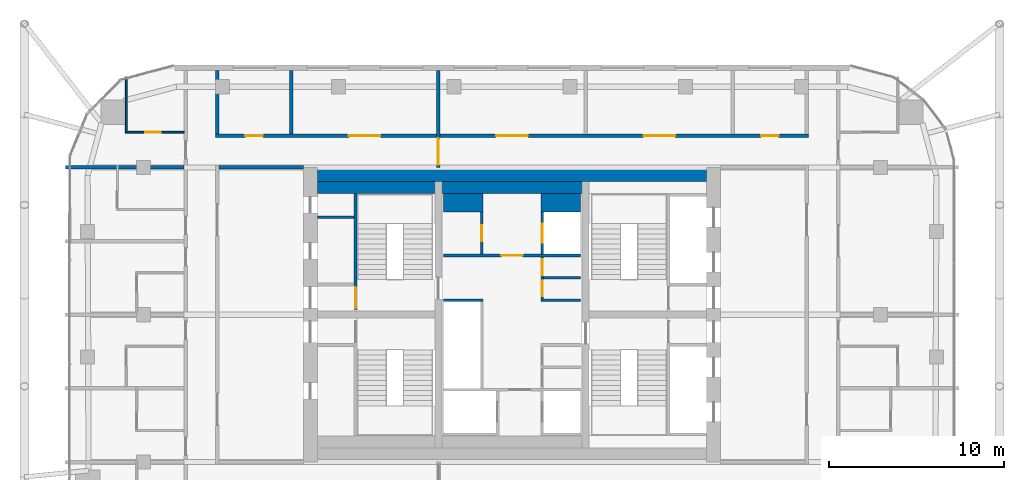
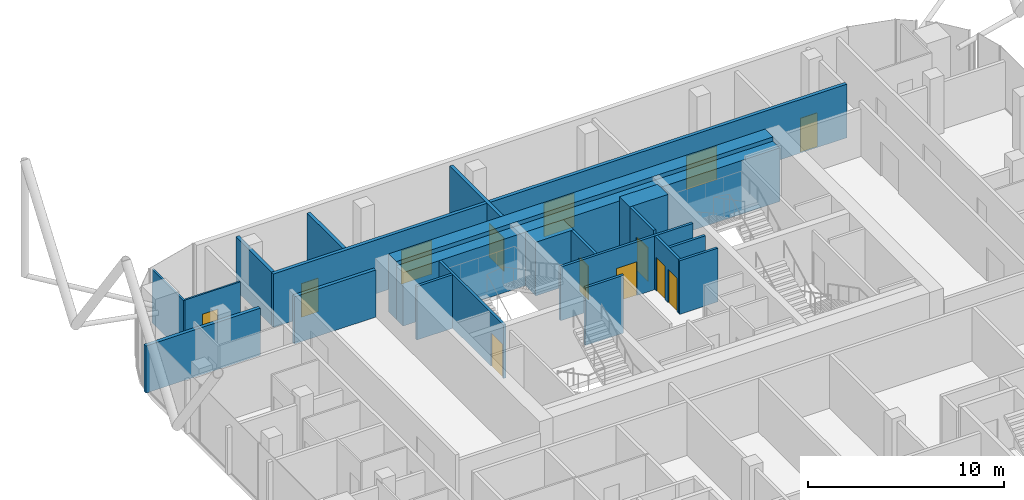
# One storey, part 28 of 31: 21 walls, 13 doors, 13 openings.
"""IFC4 building model written with IfcOpenShell, lengths in metres."""

from ifc_helpers import new_model, si_unit, direction, frame, frame_2d, origin, place, context, subcontext, project, spatial, rectangle, extrude, material, layer, layer_set, type_object, element, fill, save


model = new_model("IFC4")

# Units and contexts
model_context = context("Model", 3, precision=1e-05, world=origin(), true_north=direction((0.0, 1.0)))
body_context = subcontext(model_context, "Body", "Model", "MODEL_VIEW")
ifc_project = project(units=[si_unit("LENGTHUNIT", "METRE"), si_unit("AREAUNIT", "SQUARE_METRE"), si_unit("VOLUMEUNIT", "CUBIC_METRE"), si_unit("PLANEANGLEUNIT", "RADIAN"), si_unit("MASSUNIT", "GRAM", prefix="KILO")], contexts=[model_context])

# Site, building, storey
site_placement = place(None, origin())
site = spatial("IfcSite", under=ifc_project, at=site_placement, CompositionType="ELEMENT")
building_placement = place(site_placement, origin())
building = spatial("IfcBuilding", under=site, at=building_placement, Name="Marenta Gate Hotel Tower", CompositionType="ELEMENT")
storey_placement = place(building_placement, frame((0.0, 0.0, 191.300048828125)))
storey = spatial("IfcBuildingStorey", under=building, at=storey_placement, Name="L43", CompositionType="ELEMENT", Elevation=191.300048828125)

# Wall, opening, door
ifc_material_1 = material(Name="Concrete blockwork", Category="masonry")
ifc_layer_1 = layer(ifc_material_1, 0.199951171875)
ifc_layer_set_1 = layer_set([ifc_layer_1], Name="Concrete blockwork")
wall_type_1 = type_object("IfcWallType", Name="Compartment wall 200 REI 180", PredefinedType="PARTITIONING", material=ifc_layer_set_1)
wall_1_placement = place(storey_placement, frame((-4.199951171875, 16.800048828125, 0.0), z_axis=(0.0, 0.0, 1.0), x_axis=(0.0, 1.0, 0.0)))
wall_1 = element("IfcWall", 1, at=wall_1_placement, inside=storey, type_object=wall_type_1, Name="L43-PTN-W082", PredefinedType="PARTITIONING", context=body_context, shape_type="SweptSolid", body=[
    extrude(rectangle(XDim=5.5400390625, YDim=0.199951171875, at=frame_2d((2.77001953125, 0.0))), origin(), (0.0, 0.0, 1.0), 3.33984375),
])
opening_1_placement = place(wall_1_placement, frame((0.14990234375, 0.0, 0.0)))
opening_1 = element("IfcOpeningElement", 2, at=opening_1_placement, cuts=wall_1, Name="Opening G15-FD1", PredefinedType="OPENING", context=body_context, shape_type="SweptSolid", body=[
    extrude(rectangle(XDim=1.5, YDim=2.10009765625, at=frame_2d((0.75, 1.050048828125))), frame((0.0, 0.10009765625, 0.0), z_axis=(0.0, -1.0, 0.0), x_axis=(1.0, 0.0, 0.0)), (0.0, 0.0, 1.0), 0.199951171875),
])
ifc_material_2 = material(Name="Hollow steel door set", Category="steel")
door_type_1 = type_object("IfcDoorType", Name="Compartment fire door 1500x2100 EI 60", OperationType="DOUBLE_DOOR_DOUBLE_SWING", PredefinedType="DOOR", material=ifc_material_2)
door_1_placement = place(opening_1_placement, origin())
door_1 = element("IfcDoor", 3, at=door_1_placement, inside=storey, type_object=door_type_1, Name="L43-PD-FD01", OperationType="DOUBLE_DOOR_DOUBLE_SWING", OverallHeight=2.10009765625, OverallWidth=1.5, PredefinedType="DOOR", context=body_context, shape_type="SweptSolid", body=[
    extrude(rectangle(XDim=1.5, YDim=2.10009765625, at=frame_2d((0.75, 1.050048828125))), frame((0.0, 0.02490234375, 0.0), z_axis=(0.0, -1.0, 0.0), x_axis=(1.0, 0.0, 0.0)), (0.0, 0.0, 1.0), 0.050048828125),
])
fill(opening_1, door_1)

# Walls
ifc_material_3 = material(Name="Concrete blockwork", Category="masonry")
ifc_layer_2 = layer(ifc_material_3, 0.199951171875)
ifc_layer_set_2 = layer_set([ifc_layer_2], Name="Concrete blockwork")
wall_type_2 = type_object("IfcWallType", Name="Core boundary wall 200 REI 180", PredefinedType="PARTITIONING", material=ifc_layer_set_2)
wall_2_placement = place(storey_placement, frame((-16.699951171875, 16.800048828125, 0.0), z_axis=(0.0, 0.0, 1.0), x_axis=(1.0, 0.0, 0.0)))
element("IfcWall", 4, at=wall_2_placement, inside=storey, type_object=wall_type_2, Name="L43-CP-EW-WN", PredefinedType="PARTITIONING", context=body_context, shape_type="SweptSolid", body=[
    extrude(rectangle(XDim=4.800048828125, YDim=0.199951171875, at=frame_2d((2.39990234375, 0.0))), origin(), (0.0, 0.0, 1.0), 2.93994140625),
])
ifc_material_4 = material(Name="Concrete C40", Category="concrete")
ifc_layer_3 = layer(ifc_material_4, 0.699951171875)
ifc_layer_set_3 = layer_set([ifc_layer_3], Name="Concrete C40")
wall_type_3 = type_object("IfcWallType", Name="Core lining wall 700 REI 180", PredefinedType="PARTITIONING", material=ifc_layer_set_3)
wall_3_placement = place(storey_placement, frame((-11.10009765625, 15.64990234375, 0.0), z_axis=(0.0, 0.0, 1.0), x_axis=(1.0, 0.0, 0.0)))
element("IfcWall", 5, at=wall_3_placement, inside=storey, type_object=wall_type_3, Name="L43-CP-LN-N", PredefinedType="PARTITIONING", context=body_context, shape_type="SweptSolid", body=[
    extrude(rectangle(XDim=22.2001953125, YDim=0.699951171875, at=frame_2d((11.10009765625, 0.0))), origin(), (0.0, 0.0, 1.0), 3.33984375),
])

# Wall, opening, door
ifc_material_5 = material(Name="Concrete blockwork", Category="masonry")
ifc_layer_4 = layer(ifc_material_5, 0.14990234375)
ifc_layer_set_4 = layer_set([ifc_layer_4], Name="Concrete blockwork")
wall_type_4 = type_object("IfcWallType", Name="Core lobby partition 150 REI 180", PredefinedType="PARTITIONING", material=ifc_layer_set_4)
wall_4_placement = place(storey_placement, frame((-3.89990234375, 11.77490234375, 0.0), z_axis=(0.0, 0.0, 1.0), x_axis=(1.0, 0.0, 0.0)))
wall_4 = element("IfcWall", 6, at=wall_4_placement, inside=storey, type_object=wall_type_4, Name="L43-CP-CW-N", PredefinedType="PARTITIONING", context=body_context, shape_type="SweptSolid", body=[
    extrude(rectangle(XDim=7.7998046875, YDim=0.14990234375, at=frame_2d((3.89990234375, 0.0))), origin(), (0.0, 0.0, 1.0), 3.33984375),
])
opening_2_placement = place(wall_4_placement, frame((3.300048828125, 0.0, 0.0)))
opening_2 = element("IfcOpeningElement", 7, at=opening_2_placement, cuts=wall_4, Name="Opening FD-FFN", PredefinedType="OPENING", context=body_context, shape_type="SweptSolid", body=[
    extrude(rectangle(XDim=1.199951171875, YDim=2.10009765625, at=frame_2d((0.60009765625, 1.050048828125))), frame((0.0, 0.074951171875, 0.0), z_axis=(0.0, -1.0, 0.0), x_axis=(1.0, 0.0, 0.0)), (0.0, 0.0, 1.0), 0.14990234375),
])
ifc_material_6 = material(Name="Steel", Category="steel")
door_type_2 = type_object("IfcDoorType", Name="Core lobby door 1200x2100 FD60", OperationType="SINGLE_SWING_LEFT", PredefinedType="DOOR", material=ifc_material_6)
door_2_placement = place(opening_2_placement, origin())
door_2 = element("IfcDoor", 8, at=door_2_placement, inside=storey, type_object=door_type_2, Name="FD-FFN", OperationType="SINGLE_SWING_LEFT", OverallHeight=2.10009765625, OverallWidth=1.199951171875, PredefinedType="DOOR", context=body_context, shape_type="SweptSolid", body=[
    extrude(rectangle(XDim=1.199951171875, YDim=2.10009765625, at=frame_2d((0.60009765625, 1.050048828125))), frame((0.0, 0.02490234375, 0.0), z_axis=(0.0, -1.0, 0.0), x_axis=(1.0, 0.0, 0.0)), (0.0, 0.0, 1.0), 0.050048828125),
])
fill(opening_2, door_2)

# Walls
ifc_material_7 = material(Name="Concrete blockwork", Category="masonry")
ifc_layer_5 = layer(ifc_material_7, 1.050048828125)
ifc_layer_set_5 = layer_set([ifc_layer_5], Name="Concrete blockwork")
wall_type_5 = type_object("IfcWallType", Name="Core room partition 1050 REI 180", PredefinedType="PARTITIONING", material=ifc_layer_set_5)
wall_5_placement = place(storey_placement, frame((-3.89990234375, 14.77490234375, 0.0), z_axis=(0.0, 0.0, 1.0), x_axis=(1.0, 0.0, 0.0)))
element("IfcWall", 9, at=wall_5_placement, inside=storey, type_object=wall_type_5, Name="L43-CP-CW-W-riser-N", PredefinedType="PARTITIONING", context=body_context, shape_type="SweptSolid", body=[
    extrude(rectangle(XDim=2.25, YDim=1.050048828125, at=frame_2d((1.125, 0.0))), origin(), (0.0, 0.0, 1.0), 3.33984375),
])
ifc_material_8 = material(Name="Concrete blockwork", Category="masonry")
ifc_layer_6 = layer(ifc_material_8, 0.14990234375)
ifc_layer_set_6 = layer_set([ifc_layer_6], Name="Concrete blockwork")
wall_type_6 = type_object("IfcWallType", Name="Core room partition 150 REI 180", PredefinedType="PARTITIONING", material=ifc_layer_set_6)
wall_6_placement = place(storey_placement, frame((-11.10009765625, 13.949951171875, 0.0), z_axis=(0.0, 0.0, 1.0), x_axis=(1.0, 0.0, 0.0)))
element("IfcWall", 10, at=wall_6_placement, inside=storey, type_object=wall_type_6, Name="L43-CP-RW-WN-1", PredefinedType="PARTITIONING", context=body_context, shape_type="SweptSolid", body=[
    extrude(rectangle(XDim=2.10009765625, YDim=0.14990234375, at=frame_2d((1.050048828125, 0.0))), origin(), (0.0, 0.0, 1.0), 3.33984375),
])

# Wall, opening, door
wall_7_placement = place(storey_placement, frame((-1.72509765625, 11.85009765625, 0.0), z_axis=(0.0, 0.0, 1.0), x_axis=(0.0, 1.0, 0.0)))
wall_7 = element("IfcWall", 11, at=wall_7_placement, inside=storey, type_object=wall_type_6, Name="L43-CP-CW-W-riser-front", PredefinedType="PARTITIONING", context=body_context, shape_type="SweptSolid", body=[
    extrude(rectangle(XDim=2.39990234375, YDim=0.14990234375, at=frame_2d((1.199951171875, 0.0))), origin(), (0.0, 0.0, 1.0), 3.33984375),
])
opening_3_placement = place(wall_7_placement, frame((0.75, 0.0, 0.0)))
opening_3 = element("IfcOpeningElement", 12, at=opening_3_placement, cuts=wall_7, Name="Opening RD-CRISER", PredefinedType="OPENING", context=body_context, shape_type="SweptSolid", body=[
    extrude(rectangle(XDim=0.89990234375, YDim=2.10009765625, at=frame_2d((0.449951171875, 1.050048828125))), frame((0.0, 0.074951171875, 0.0), z_axis=(0.0, -1.0, 0.0), x_axis=(1.0, 0.0, 0.0)), (0.0, 0.0, 1.0), 0.14990234375),
])
ifc_material_9 = material(Name="Steel", Category="steel")
door_type_3 = type_object("IfcDoorType", Name="Core riser door 900x2100 FD60", OperationType="SINGLE_SWING_LEFT", PredefinedType="DOOR", material=ifc_material_9)
door_3_placement = place(opening_3_placement, origin())
door_3 = element("IfcDoor", 13, at=door_3_placement, inside=storey, type_object=door_type_3, Name="RD-CRISER", OperationType="SINGLE_SWING_LEFT", OverallHeight=2.10009765625, OverallWidth=0.89990234375, PredefinedType="DOOR", context=body_context, shape_type="SweptSolid", body=[
    extrude(rectangle(XDim=0.89990234375, YDim=2.10009765625, at=frame_2d((0.449951171875, 1.050048828125))), frame((0.0, 0.02490234375, 0.0), z_axis=(0.0, -1.0, 0.0), x_axis=(1.0, 0.0, 0.0)), (0.0, 0.0, 1.0), 0.050048828125),
])
fill(opening_3, door_3)

# Wall
wall_8_placement = place(storey_placement, frame((1.64990234375, 9.22509765625, 0.0), z_axis=(0.0, 0.0, 1.0), x_axis=(1.0, 0.0, 0.0)))
element("IfcWall", 14, at=wall_8_placement, inside=storey, type_object=wall_type_6, Name="L43-CP-CE-sep2", PredefinedType="PARTITIONING", context=body_context, shape_type="SweptSolid", body=[
    extrude(rectangle(XDim=2.25, YDim=0.14990234375, at=frame_2d((1.125, 0.0))), origin(), (0.0, 0.0, 1.0), 3.33984375),
])

# Wall, openings, doors
wall_9_placement = place(storey_placement, frame((1.72509765625, 9.300048828125, 0.0), z_axis=(0.0, 0.0, 1.0), x_axis=(0.0, 1.0, 0.0)))
wall_9 = element("IfcWall", 15, at=wall_9_placement, inside=storey, type_object=wall_type_6, Name="L43-CP-CE-front-2", PredefinedType="PARTITIONING", context=body_context, shape_type="SweptSolid", body=[
    extrude(rectangle(XDim=2.39990234375, YDim=0.14990234375, at=frame_2d((1.199951171875, 0.0))), origin(), (0.0, 0.0, 1.0), 3.33984375),
])
opening_4_placement = place(wall_9_placement, frame((0.14990234375, 0.0, 0.0)))
opening_4 = element("IfcOpeningElement", 16, at=opening_4_placement, cuts=wall_9, Name="Opening RD-CE-2a", PredefinedType="OPENING", context=body_context, shape_type="SweptSolid", body=[
    extrude(rectangle(XDim=0.89990234375, YDim=2.10009765625, at=frame_2d((0.449951171875, 1.050048828125))), frame((0.0, 0.074951171875, 0.0), z_axis=(0.0, -1.0, 0.0), x_axis=(1.0, 0.0, 0.0)), (0.0, 0.0, 1.0), 0.14990234375),
])
opening_5_placement = place(wall_9_placement, frame((1.35009765625, 0.0, 0.0)))
opening_5 = element("IfcOpeningElement", 17, at=opening_5_placement, cuts=wall_9, Name="Opening RD-CE-2b-B", PredefinedType="OPENING", context=body_context, shape_type="SweptSolid", body=[
    extrude(rectangle(XDim=0.89990234375, YDim=2.10009765625, at=frame_2d((0.449951171875, 1.050048828125))), frame((0.0, 0.074951171875, 0.0), z_axis=(0.0, -1.0, 0.0), x_axis=(1.0, 0.0, 0.0)), (0.0, 0.0, 1.0), 0.14990234375),
])
ifc_material_10 = material(Name="Steel", Category="steel")
door_type_4 = type_object("IfcDoorType", Name="Core service room door 900x2100 FD30S", OperationType="SINGLE_SWING_LEFT", PredefinedType="DOOR", material=ifc_material_10)
door_4_placement = place(opening_4_placement, origin())
door_4 = element("IfcDoor", 18, at=door_4_placement, inside=storey, type_object=door_type_4, Name="RD-CE-2a", OperationType="SINGLE_SWING_LEFT", OverallHeight=2.10009765625, OverallWidth=0.89990234375, PredefinedType="DOOR", context=body_context, shape_type="SweptSolid", body=[
    extrude(rectangle(XDim=0.89990234375, YDim=2.10009765625, at=frame_2d((0.449951171875, 1.050048828125))), frame((0.0, 0.02490234375, 0.0), z_axis=(0.0, -1.0, 0.0), x_axis=(1.0, 0.0, 0.0)), (0.0, 0.0, 1.0), 0.050048828125),
])
fill(opening_4, door_4)
door_5_placement = place(opening_5_placement, origin())
door_5 = element("IfcDoor", 19, at=door_5_placement, inside=storey, type_object=door_type_4, Name="RD-CE-2b-B", OperationType="SINGLE_SWING_LEFT", OverallHeight=2.10009765625, OverallWidth=0.89990234375, PredefinedType="DOOR", context=body_context, shape_type="SweptSolid", body=[
    extrude(rectangle(XDim=0.89990234375, YDim=2.10009765625, at=frame_2d((0.449951171875, 1.050048828125))), frame((0.0, 0.02490234375, 0.0), z_axis=(0.0, -1.0, 0.0), x_axis=(1.0, 0.0, 0.0)), (0.0, 0.0, 1.0), 0.050048828125),
])
fill(opening_5, door_5)

# Walls
wall_10_placement = place(storey_placement, frame((1.800048828125, 10.5, 0.0), z_axis=(0.0, 0.0, 1.0), x_axis=(1.0, 0.0, 0.0)))
element("IfcWall", 20, at=wall_10_placement, inside=storey, type_object=wall_type_6, Name="L43-CP-CE-RW-2", PredefinedType="PARTITIONING", context=body_context, shape_type="SweptSolid", body=[
    extrude(rectangle(XDim=2.099853515625, YDim=0.14990234375, at=frame_2d((1.0498046875, 0.0))), origin(), (0.0, 0.0, 1.0), 3.33984375),
])
ifc_material_11 = material(Name="Concrete C40", Category="concrete")
ifc_layer_7 = layer(ifc_material_11, 1.050048828125)
ifc_layer_set_7 = layer_set([ifc_layer_7], Name="Concrete C40")
wall_type_7 = type_object("IfcWallType", Name="Core shaft wall 1050 REI 180", PredefinedType="SHEAR", material=ifc_layer_set_7)
wall_11_placement = place(storey_placement, frame((1.64990234375, 14.77490234375, 0.0), z_axis=(0.0, 0.0, 1.0), x_axis=(1.0, 0.0, 0.0)))
element("IfcWall", 21, at=wall_11_placement, inside=storey, type_object=wall_type_7, Name="L43-SHF-CE-N-top", PredefinedType="SHEAR", context=body_context, shape_type="SweptSolid", body=[
    extrude(rectangle(XDim=2.25, YDim=1.050048828125, at=frame_2d((1.125, 0.0))), origin(), (0.0, 0.0, 1.0), 3.599853515625),
])
ifc_material_12 = material(Name="Concrete C40", Category="concrete")
ifc_layer_8 = layer(ifc_material_12, 0.14990234375)
ifc_layer_set_8 = layer_set([ifc_layer_8], Name="Concrete C40")
wall_type_8 = type_object("IfcWallType", Name="Core shaft wall 150 REI 180", PredefinedType="SHEAR", material=ifc_layer_set_8)
wall_12_placement = place(storey_placement, frame((-3.89990234375, 9.22509765625, 0.0), z_axis=(0.0, 0.0, 1.0), x_axis=(1.0, 0.0, 0.0)))
element("IfcWall", 22, at=wall_12_placement, inside=storey, type_object=wall_type_8, Name="L43-SHF-CW-W-sep", PredefinedType="SHEAR", context=body_context, shape_type="SweptSolid", body=[
    extrude(rectangle(XDim=2.25, YDim=0.14990234375, at=frame_2d((1.125, 0.0))), origin(), (0.0, 0.0, 1.0), 3.599853515625),
])

# Wall, opening, door
wall_13_placement = place(storey_placement, frame((1.72509765625, 11.85009765625, 0.0), z_axis=(0.0, 0.0, 1.0), x_axis=(0.0, 1.0, 0.0)))
wall_13 = element("IfcWall", 23, at=wall_13_placement, inside=storey, type_object=wall_type_8, Name="L43-SHF-CE-N-front2", PredefinedType="SHEAR", context=body_context, shape_type="SweptSolid", body=[
    extrude(rectangle(XDim=2.39990234375, YDim=0.14990234375, at=frame_2d((1.199951171875, 0.0))), origin(), (0.0, 0.0, 1.0), 3.599853515625),
])
opening_6_placement = place(wall_13_placement, frame((0.64990234375, 0.0, 0.0)))
opening_6 = element("IfcOpeningElement", 24, at=opening_6_placement, cuts=wall_13, Name="Opening LD-FF2", PredefinedType="OPENING", context=body_context, shape_type="SweptSolid", body=[
    extrude(rectangle(XDim=1.10009765625, YDim=2.10009765625, at=frame_2d((0.550048828125, 1.050048828125))), frame((0.0, 0.074951171875, 0.0), z_axis=(0.0, -1.0, 0.0), x_axis=(1.0, 0.0, 0.0)), (0.0, 0.0, 1.0), 0.14990234375),
])
ifc_material_13 = material(Name="Steel", Category="steel")
door_type_5 = type_object("IfcDoorType", Name="Core lift landing door 1100x2100 E 60", OperationType="SLIDING_TO_LEFT", PredefinedType="DOOR", material=ifc_material_13)
door_6_placement = place(opening_6_placement, origin())
door_6 = element("IfcDoor", 25, at=door_6_placement, inside=storey, type_object=door_type_5, Name="LD-FF2", OperationType="SLIDING_TO_LEFT", OverallHeight=2.10009765625, OverallWidth=1.10009765625, PredefinedType="DOOR", context=body_context, shape_type="SweptSolid", body=[
    extrude(rectangle(XDim=1.10009765625, YDim=2.10009765625, at=frame_2d((0.550048828125, 1.050048828125))), frame((0.0, 0.02490234375, 0.0), z_axis=(0.0, -1.0, 0.0), x_axis=(1.0, 0.0, 0.0)), (0.0, 0.0, 1.0), 0.050048828125),
])
fill(opening_6, door_6)

ifc_material_14 = material(Name="Concrete C40", Category="concrete")
ifc_layer_9 = layer(ifc_material_14, 0.14990234375)
ifc_layer_set_9 = layer_set([ifc_layer_9], Name="Concrete C40")
wall_type_9 = type_object("IfcWallType", Name="Core stair enclosure wall 150 REI 180", PredefinedType="SHEAR", material=ifc_layer_set_9)
wall_14_placement = place(storey_placement, frame((-8.925048828125, 8.699951171875, 0.0), z_axis=(0.0, 0.0, 1.0), x_axis=(0.0, 1.0, 0.0)))
wall_14 = element("IfcWall", 26, at=wall_14_placement, inside=storey, type_object=wall_type_9, Name="L43-SHF-SW-WN-3", PredefinedType="SHEAR", context=body_context, shape_type="SweptSolid", body=[
    extrude(rectangle(XDim=6.60009765625, YDim=0.14990234375, at=frame_2d((3.300048828125, 0.0))), origin(), (0.0, 0.0, 1.0), 3.33984375),
])
opening_7_placement = place(wall_14_placement, frame((0.074951171875, 0.0, 0.0)))
opening_7 = element("IfcOpeningElement", 27, at=opening_7_placement, cuts=wall_14, Name="Opening SD-WN", PredefinedType="OPENING", context=body_context, shape_type="SweptSolid", body=[
    extrude(rectangle(XDim=1.199951171875, YDim=2.10009765625, at=frame_2d((0.60009765625, 1.050048828125))), frame((0.0, 0.074951171875, 0.0), z_axis=(0.0, -1.0, 0.0), x_axis=(1.0, 0.0, 0.0)), (0.0, 0.0, 1.0), 0.14990234375),
])
ifc_material_15 = material(Name="Steel", Category="steel")
door_type_6 = type_object("IfcDoorType", Name="Core stair door 1200x2100 FD60", OperationType="SINGLE_SWING_LEFT", PredefinedType="DOOR", material=ifc_material_15)
door_7_placement = place(opening_7_placement, origin())
door_7 = element("IfcDoor", 28, at=door_7_placement, inside=storey, type_object=door_type_6, Name="SD-WN", OperationType="SINGLE_SWING_LEFT", OverallHeight=2.10009765625, OverallWidth=1.199951171875, PredefinedType="DOOR", context=body_context, shape_type="SweptSolid", body=[
    extrude(rectangle(XDim=1.199951171875, YDim=2.10009765625, at=frame_2d((0.60009765625, 1.050048828125))), frame((0.0, 0.02490234375, 0.0), z_axis=(0.0, -1.0, 0.0), x_axis=(1.0, 0.0, 0.0)), (0.0, 0.0, 1.0), 0.050048828125),
])
fill(opening_7, door_7)

# Walls
ifc_material_16 = material(Name="Concrete C60", Category="concrete")
ifc_layer_10 = layer(ifc_material_16, 0.800048828125)
ifc_layer_set_10 = layer_set([ifc_layer_10], Name="Concrete C60")
wall_type_10 = type_object("IfcWallType", Name="Core wall 800 C60", PredefinedType="SHEAR", material=ifc_layer_set_10)
wall_15_placement = place(storey_placement, frame((-11.10009765625, 16.39990234375, 0.0), z_axis=(0.0, 0.0, 1.0), x_axis=(1.0, 0.0, 0.0)))
element("IfcWall", 29, at=wall_15_placement, inside=storey, type_object=wall_type_10, Name="L43-CORE-N", PredefinedType="SHEAR", context=body_context, shape_type="SweptSolid", body=[
    extrude(rectangle(XDim=22.2001953125, YDim=0.800048828125, at=frame_2d((11.10009765625, 0.0))), origin(), (0.0, 0.0, 1.0), 3.599853515625),
])
ifc_material_17 = material(Name="Gypsum board on steel stud", Category="steel")
ifc_layer_11 = layer(ifc_material_17, 0.199951171875)
ifc_layer_set_11 = layer_set([ifc_layer_11], Name="Gypsum board on steel stud")
wall_type_11 = type_object("IfcWallType", Name="Room corridor wall 200 EI 60", PredefinedType="PARTITIONING", material=ifc_layer_set_11)
wall_16_placement = place(storey_placement, frame((-16.800048828125, 18.699951171875, 0.0), z_axis=(0.0, 0.0, 1.0), x_axis=(0.0, 1.0, 0.0)))
element("IfcWall", 30, at=wall_16_placement, inside=storey, type_object=wall_type_11, Name="L43-PTN-W109", PredefinedType="PARTITIONING", context=body_context, shape_type="SweptSolid", body=[
    extrude(rectangle(XDim=3.64013671875, YDim=0.199951171875, at=frame_2d((1.820068359375, 0.0))), origin(), (0.0, 0.0, 1.0), 3.33984375),
])

# Wall, openings, doors
wall_17_placement = place(storey_placement, frame((-16.89990234375, 18.60009765625, 0.0), z_axis=(0.0, 0.0, 1.0), x_axis=(1.0, 0.0, 0.0)))
wall_17 = element("IfcWall", 31, at=wall_17_placement, inside=storey, type_object=wall_type_11, Name="L43-PTN-W113", PredefinedType="PARTITIONING", context=body_context, shape_type="SweptSolid", body=[
    extrude(rectangle(XDim=33.7998046875, YDim=0.199951171875, at=frame_2d((16.89990234375, 0.0))), origin(), (0.0, 0.0, 1.0), 3.33984375),
])
opening_8_placement = place(wall_17_placement, frame((1.699951171875, 0.0, 0.0)))
opening_8 = element("IfcOpeningElement", 32, at=opening_8_placement, cuts=wall_17, Name="Opening G15-37", PredefinedType="OPENING", context=body_context, shape_type="SweptSolid", body=[
    extrude(rectangle(XDim=1.0, YDim=2.10009765625, at=frame_2d((0.5, 1.050048828125))), frame((0.0, 0.10009765625, 0.0), z_axis=(0.0, -1.0, 0.0), x_axis=(1.0, 0.0, 0.0)), (0.0, 0.0, 1.0), 0.199951171875),
])
opening_9_placement = place(wall_17_placement, frame((7.60009765625, 0.0, 0.0)))
opening_9 = element("IfcOpeningElement", 33, at=opening_9_placement, cuts=wall_17, Name="Opening G15-38", PredefinedType="OPENING", context=body_context, shape_type="SweptSolid", body=[
    extrude(rectangle(XDim=1.800048828125, YDim=2.10009765625, at=frame_2d((0.89990234375, 1.050048828125))), frame((0.0, 0.10009765625, 0.0), z_axis=(0.0, -1.0, 0.0), x_axis=(1.0, 0.0, 0.0)), (0.0, 0.0, 1.0), 0.199951171875),
])
opening_10_placement = place(wall_17_placement, frame((16.0, 0.0, 0.0)))
opening_10 = element("IfcOpeningElement", 34, at=opening_10_placement, cuts=wall_17, Name="Opening G15-39", PredefinedType="OPENING", context=body_context, shape_type="SweptSolid", body=[
    extrude(rectangle(XDim=1.800048828125, YDim=2.10009765625, at=frame_2d((0.89990234375, 1.050048828125))), frame((0.0, 0.10009765625, 0.0), z_axis=(0.0, -1.0, 0.0), x_axis=(1.0, 0.0, 0.0)), (0.0, 0.0, 1.0), 0.199951171875),
])
opening_11_placement = place(wall_17_placement, frame((24.39990234375, 0.0, 0.0)))
opening_11 = element("IfcOpeningElement", 35, at=opening_11_placement, cuts=wall_17, Name="Opening G15-40", PredefinedType="OPENING", context=body_context, shape_type="SweptSolid", body=[
    extrude(rectangle(XDim=1.800048828125, YDim=2.10009765625, at=frame_2d((0.89990234375, 1.050048828125))), frame((0.0, 0.10009765625, 0.0), z_axis=(0.0, -1.0, 0.0), x_axis=(1.0, 0.0, 0.0)), (0.0, 0.0, 1.0), 0.199951171875),
])
opening_12_placement = place(wall_17_placement, frame((31.10009765625, 0.0, 0.0)))
opening_12 = element("IfcOpeningElement", 36, at=opening_12_placement, cuts=wall_17, Name="Opening G15-41", PredefinedType="OPENING", context=body_context, shape_type="SweptSolid", body=[
    extrude(rectangle(XDim=1.0, YDim=2.10009765625, at=frame_2d((0.5, 1.050048828125))), frame((0.0, 0.10009765625, 0.0), z_axis=(0.0, -1.0, 0.0), x_axis=(1.0, 0.0, 0.0)), (0.0, 0.0, 1.0), 0.199951171875),
])
ifc_material_18 = material(Name="Timber door leaf", Category="wood")
door_type_7 = type_object("IfcDoorType", Name="Room amenity door 1000x2100 EI 30", OperationType="NOTDEFINED", PredefinedType="DOOR", material=ifc_material_18)
door_8_placement = place(opening_8_placement, origin())
door_8 = element("IfcDoor", 37, at=door_8_placement, inside=storey, type_object=door_type_7, Name="L43-PD-D037", OperationType="SINGLE_SWING_LEFT", OverallHeight=2.10009765625, OverallWidth=1.0, PredefinedType="DOOR", context=body_context, shape_type="SweptSolid", body=[
    extrude(rectangle(XDim=1.0, YDim=2.10009765625, at=frame_2d((0.5, 1.050048828125))), frame((0.0, 0.02490234375, 0.0), z_axis=(0.0, -1.0, 0.0), x_axis=(1.0, 0.0, 0.0)), (0.0, 0.0, 1.0), 0.050048828125),
])
fill(opening_8, door_8)
door_9_placement = place(opening_12_placement, origin())
door_9 = element("IfcDoor", 38, at=door_9_placement, inside=storey, type_object=door_type_7, Name="L43-PD-D041", OperationType="SINGLE_SWING_LEFT", OverallHeight=2.10009765625, OverallWidth=1.0, PredefinedType="DOOR", context=body_context, shape_type="SweptSolid", body=[
    extrude(rectangle(XDim=1.0, YDim=2.10009765625, at=frame_2d((0.5, 1.050048828125))), frame((0.0, 0.02490234375, 0.0), z_axis=(0.0, -1.0, 0.0), x_axis=(1.0, 0.0, 0.0)), (0.0, 0.0, 1.0), 0.050048828125),
])
fill(opening_12, door_9)
ifc_material_19 = material(Name="Timber door leaf", Category="wood")
door_type_8 = type_object("IfcDoorType", Name="Room amenity door 1800x2100 EI 30", OperationType="DOUBLE_DOOR_SINGLE_SWING", PredefinedType="DOOR", material=ifc_material_19)
door_10_placement = place(opening_9_placement, origin())
door_10 = element("IfcDoor", 39, at=door_10_placement, inside=storey, type_object=door_type_8, Name="L43-PD-D038", OperationType="DOUBLE_DOOR_SINGLE_SWING", OverallHeight=2.10009765625, OverallWidth=1.800048828125, PredefinedType="DOOR", context=body_context, shape_type="SweptSolid", body=[
    extrude(rectangle(XDim=1.800048828125, YDim=2.10009765625, at=frame_2d((0.89990234375, 1.050048828125))), frame((0.0, 0.02490234375, 0.0), z_axis=(0.0, -1.0, 0.0), x_axis=(1.0, 0.0, 0.0)), (0.0, 0.0, 1.0), 0.050048828125),
])
fill(opening_9, door_10)
door_11_placement = place(opening_10_placement, origin())
door_11 = element("IfcDoor", 40, at=door_11_placement, inside=storey, type_object=door_type_8, Name="L43-PD-D039", OperationType="DOUBLE_DOOR_SINGLE_SWING", OverallHeight=2.10009765625, OverallWidth=1.800048828125, PredefinedType="DOOR", context=body_context, shape_type="SweptSolid", body=[
    extrude(rectangle(XDim=1.800048828125, YDim=2.10009765625, at=frame_2d((0.89990234375, 1.050048828125))), frame((0.0, 0.02490234375, 0.0), z_axis=(0.0, -1.0, 0.0), x_axis=(1.0, 0.0, 0.0)), (0.0, 0.0, 1.0), 0.050048828125),
])
fill(opening_10, door_11)
door_12_placement = place(opening_11_placement, origin())
door_12 = element("IfcDoor", 41, at=door_12_placement, inside=storey, type_object=door_type_8, Name="L43-PD-D040", OperationType="DOUBLE_DOOR_SINGLE_SWING", OverallHeight=2.10009765625, OverallWidth=1.800048828125, PredefinedType="DOOR", context=body_context, shape_type="SweptSolid", body=[
    extrude(rectangle(XDim=1.800048828125, YDim=2.10009765625, at=frame_2d((0.89990234375, 1.050048828125))), frame((0.0, 0.02490234375, 0.0), z_axis=(0.0, -1.0, 0.0), x_axis=(1.0, 0.0, 0.0)), (0.0, 0.0, 1.0), 0.050048828125),
])
fill(opening_11, door_12)

# Wall, opening, door
ifc_material_20 = material(Name="Gypsum board on steel stud", Category="steel")
ifc_layer_12 = layer(ifc_material_20, 0.10009765625)
ifc_layer_set_12 = layer_set([ifc_layer_12], Name="Gypsum board on steel stud")
wall_type_12 = type_object("IfcWallType", Name="Room partition 100", PredefinedType="PARTITIONING", material=ifc_layer_set_12)
wall_18_placement = place(storey_placement, frame((-21.949951171875, 18.800048828125, 0.0), z_axis=(0.0, 0.0, 1.0), x_axis=(1.0, 0.0, 0.0)))
wall_18 = element("IfcWall", 42, at=wall_18_placement, inside=storey, type_object=wall_type_12, Name="L43-PTN-W114", PredefinedType="PARTITIONING", context=body_context, shape_type="SweptSolid", body=[
    extrude(rectangle(XDim=3.25, YDim=0.10009765625, at=frame_2d((1.625, 0.0))), origin(), (0.0, 0.0, 1.0), 3.33984375),
])
opening_13_placement = place(wall_18_placement, frame((1.030029296875, 0.0, 0.0)))
opening_13 = element("IfcOpeningElement", 43, at=opening_13_placement, cuts=wall_18, Name="Opening G15-75", PredefinedType="OPENING", context=body_context, shape_type="SweptSolid", body=[
    extrude(rectangle(XDim=0.89990234375, YDim=2.10009765625, at=frame_2d((0.449951171875, 1.050048828125))), frame((0.0, 0.050048828125, 0.0), z_axis=(0.0, -1.0, 0.0), x_axis=(1.0, 0.0, 0.0)), (0.0, 0.0, 1.0), 0.10009765625),
])
ifc_material_21 = material(Name="Timber door leaf", Category="wood")
door_type_9 = type_object("IfcDoorType", Name="Guest bathroom door 900x2100", OperationType="NOTDEFINED", PredefinedType="DOOR", material=ifc_material_21)
door_13_placement = place(opening_13_placement, origin())
door_13 = element("IfcDoor", 44, at=door_13_placement, inside=storey, type_object=door_type_9, Name="L43-PD-D075", OperationType="SINGLE_SWING_LEFT", OverallHeight=2.10009765625, OverallWidth=0.89990234375, PredefinedType="DOOR", context=body_context, shape_type="SweptSolid", body=[
    extrude(rectangle(XDim=0.89990234375, YDim=2.10009765625, at=frame_2d((0.449951171875, 1.050048828125))), frame((0.0, 0.02490234375, 0.0), z_axis=(0.0, -1.0, 0.0), x_axis=(1.0, 0.0, 0.0)), (0.0, 0.0, 1.0), 0.050048828125),
])
fill(opening_13, door_13)

# Walls
wall_19_placement = place(storey_placement, frame((-22.0, 18.75, 0.0), z_axis=(0.0, 0.0, 1.0), x_axis=(0.0, 1.0, 0.0)))
element("IfcWall", 45, at=wall_19_placement, inside=storey, type_object=wall_type_12, Name="L43-PTN-W122", PredefinedType="PARTITIONING", context=body_context, shape_type="SweptSolid", body=[
    extrude(rectangle(XDim=3.22900390625, YDim=0.10009765625, at=frame_2d((1.614501953125, 0.0))), origin(), (0.0, 0.0, 1.0), 3.33984375),
])
ifc_material_22 = material(Name="Gypsum board on steel stud", Category="steel")
ifc_layer_13 = layer(ifc_material_22, 0.199951171875)
ifc_layer_set_13 = layer_set([ifc_layer_13], Name="Gypsum board on steel stud")
wall_type_13 = type_object("IfcWallType", Name="Room party wall 200 EI 60", PredefinedType="PARTITIONING", material=ifc_layer_set_13)
wall_20_placement = place(storey_placement, frame((-12.60009765625, 18.699951171875, 0.0), z_axis=(0.0, 0.0, 1.0), x_axis=(0.0, 1.0, 0.0)))
element("IfcWall", 46, at=wall_20_placement, inside=storey, type_object=wall_type_13, Name="L43-PTN-W101", PredefinedType="PARTITIONING", context=body_context, shape_type="SweptSolid", body=[
    extrude(rectangle(XDim=3.64013671875, YDim=0.199951171875, at=frame_2d((1.820068359375, 0.0))), origin(), (0.0, 0.0, 1.0), 3.33984375),
])
wall_21_placement = place(storey_placement, frame((-25.447021484375, 16.800048828125, 0.0), z_axis=(0.0, 0.0, 1.0), x_axis=(1.0, 0.0, 0.0)))
element("IfcWall", 47, at=wall_21_placement, inside=storey, type_object=wall_type_13, Name="L43-PTN-W110", PredefinedType="PARTITIONING", context=body_context, shape_type="SweptSolid", body=[
    extrude(rectangle(XDim=6.7470703125, YDim=0.199951171875, at=frame_2d((3.37353515625, 0.0))), origin(), (0.0, 0.0, 1.0), 2.93994140625),
])

save(model, "model.ifc")
